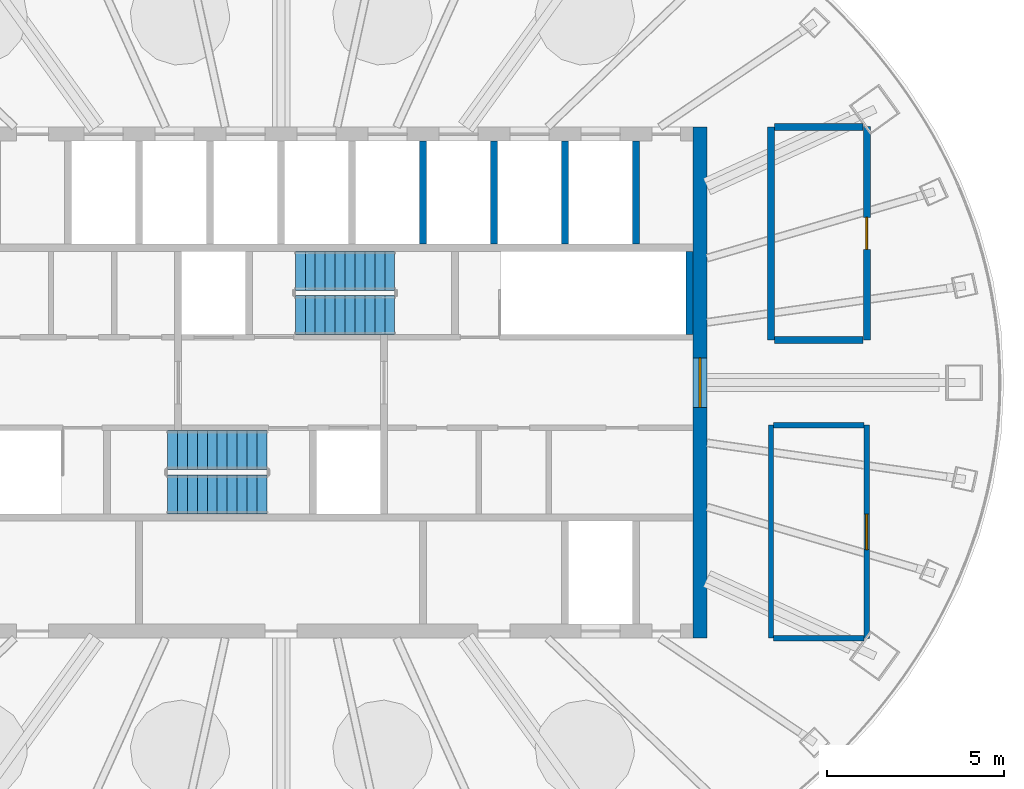
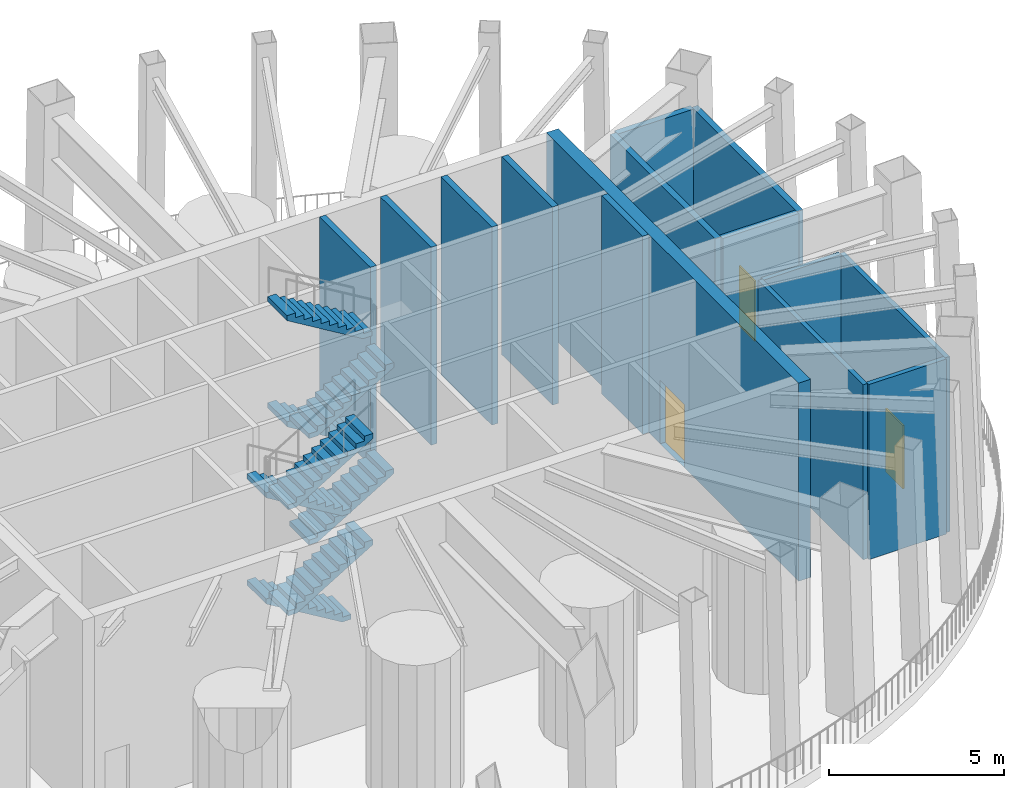
# One storey, part 5 of 12: 14 walls, 8 stair flights, 3 doors, 3 openings, 2 elements without a shape of their own.
"""IFC4 building model written with IfcOpenShell, lengths in metres."""

from ifc_helpers import new_model, si_unit, direction, frame, frame_2d, origin, place, context, subcontext, project, spatial, polyline, rectangle, outline, extrude, material, layer, layer_set, type_object, element, fill, aggregate, save


model = new_model("IFC4")

# Units and contexts
model_context = context("Model", 3, precision=1e-05, world=origin(), true_north=direction((0.0, 1.0)))
body_context = subcontext(model_context, "Body", "Model", "MODEL_VIEW")
ifc_project = project(units=[si_unit("LENGTHUNIT", "METRE"), si_unit("AREAUNIT", "SQUARE_METRE"), si_unit("VOLUMEUNIT", "CUBIC_METRE"), si_unit("PLANEANGLEUNIT", "RADIAN"), si_unit("MASSUNIT", "GRAM", prefix="KILO")], contexts=[model_context])

# Site, building, storey
site_placement = place(None, origin())
site = spatial("IfcSite", under=ifc_project, at=site_placement, CompositionType="ELEMENT")
building_placement = place(site_placement, origin())
building = spatial("IfcBuilding", under=site, at=building_placement, Name="Siaravel Broadcast Tower", CompositionType="ELEMENT")
storey_placement = place(building_placement, frame((0.0, 0.0, 265.199951171875)))
storey = spatial("IfcBuildingStorey", under=building, at=storey_placement, Name="L65", CompositionType="ELEMENT", Elevation=265.199951171875)

# Wall, opening, door
ifc_material_1 = material(Name="Concrete C60/75", Category="concrete")
ifc_layer_1 = layer(ifc_material_1, 0.39990234375)
ifc_layer_set_1 = layer_set([ifc_layer_1], Name="Concrete C60/75")
wall_type_1 = type_object("IfcWallType", Name="Core wall 400", PredefinedType="SHEAR", material=ifc_layer_set_1)
wall_1_placement = place(storey_placement, frame((11.800048828125, -7.199951171875, 0.0), z_axis=(0.0, 0.0, 1.0), x_axis=(0.0, 1.0, 0.0)))
wall_1 = element("IfcWall", 1, at=wall_1_placement, inside=storey, type_object=wall_type_1, Name="L65 core wall OE", PredefinedType="SHEAR", context=body_context, shape_type="SweptSolid", body=[
    extrude(rectangle(XDim=14.39990234375, YDim=0.39990234375, at=frame_2d((7.199951171875, 0.0))), origin(), (0.0, 0.0, 1.0), 6.900146484375),
])
opening_1_placement = place(wall_1_placement, frame((6.5, 0.0, 0.0)))
opening_1 = element("IfcOpeningElement", 2, at=opening_1_placement, cuts=wall_1, Name="Opening L65-DX-E", PredefinedType="OPENING", context=body_context, shape_type="SweptSolid", body=[
    extrude(rectangle(XDim=1.39990234375, YDim=2.199951171875, at=frame_2d((0.699951171875, 1.10009765625))), frame((0.0, 0.2099609375, 0.0), z_axis=(0.0, -1.0, 0.0), x_axis=(1.0, 0.0, 0.0)), (0.0, 0.0, 1.0), 0.419921875),
])
ifc_material_2 = material(Name="Steel", Category="steel")
door_type_1 = type_object("IfcDoorType", Name="Core exit door 1400", OperationType="DOUBLE_DOOR_SINGLE_SWING", PredefinedType="DOOR", material=ifc_material_2)
door_1_placement = place(opening_1_placement, origin())
door_1 = element("IfcDoor", 3, at=door_1_placement, inside=storey, type_object=door_type_1, Name="L65 door DX-E", OperationType="DOUBLE_DOOR_SINGLE_SWING", OverallHeight=2.199951171875, OverallWidth=1.39990234375, PredefinedType="DOOR", context=body_context, shape_type="SweptSolid", body=[
    extrude(rectangle(XDim=1.39990234375, YDim=2.199951171875, at=frame_2d((0.699951171875, 1.10009765625))), frame((0.0, 0.02490234375, 0.0), z_axis=(0.0, -1.0, 0.0), x_axis=(1.0, 0.0, 0.0)), (0.0, 0.0, 1.0), 0.050048828125),
])
fill(opening_1, door_1)

ifc_material_3 = material(Name="Gypsum board partition", Category="gypsum")
ifc_layer_2 = layer(ifc_material_3, 0.14990234375)
ifc_layer_set_2 = layer_set([ifc_layer_2], Name="Gypsum board partition")
wall_type_2 = type_object("IfcWallType", Name="Corridor wall 150", PredefinedType="PARTITIONING", material=ifc_layer_set_2)
wall_2_placement = place(storey_placement, frame((16.5, -7.2119140625, 0.0), z_axis=(0.0, 0.0, 1.0), x_axis=(0.0, 1.0, 0.0)))
wall_2 = element("IfcWall", 4, at=wall_2_placement, inside=storey, type_object=wall_type_2, Name="L65 partition 3", PredefinedType="PARTITIONING", context=body_context, shape_type="SweptSolid", body=[
    extrude(rectangle(XDim=6.011962890625, YDim=0.14990234375, at=frame_2d((3.005859375, 0.0))), origin(), (0.0, 0.0, 1.0), 6.10009765625),
])
opening_2_placement = place(wall_2_placement, frame((2.506103515625, 0.0, 0.0)))
opening_2 = element("IfcOpeningElement", 5, at=opening_2_placement, cuts=wall_2, Name="Opening L65-002", PredefinedType="OPENING", context=body_context, shape_type="SweptSolid", body=[
    extrude(rectangle(XDim=1.0, YDim=2.199951171875, at=frame_2d((0.5, 1.10009765625))), frame((0.0, 0.0849609375, 0.0), z_axis=(0.0, -1.0, 0.0), x_axis=(1.0, 0.0, 0.0)), (0.0, 0.0, 1.0), 0.169921875),
])
ifc_material_4 = material(Name="Acoustic timber and steel", Category="steel")
door_type_2 = type_object("IfcDoorType", Name="Acoustic door 1000", OperationType="SINGLE_SWING_LEFT", PredefinedType="DOOR", material=ifc_material_4)
door_2_placement = place(opening_2_placement, origin())
door_2 = element("IfcDoor", 6, at=door_2_placement, inside=storey, type_object=door_type_2, Name="L65 door to Turbine control room", OperationType="SINGLE_SWING_RIGHT", OverallHeight=2.199951171875, OverallWidth=1.0, PredefinedType="DOOR", context=body_context, shape_type="SweptSolid", body=[
    extrude(rectangle(XDim=1.0, YDim=2.199951171875, at=frame_2d((0.5, 1.10009765625))), frame((0.0, 0.02490234375, 0.0), z_axis=(0.0, -1.0, 0.0), x_axis=(1.0, 0.0, 0.0)), (0.0, 0.0, 1.0), 0.050048828125),
])
fill(opening_2, door_2)

# Walls
wall_3_placement = place(storey_placement, frame((13.800048828125, -7.199951171875, 0.0), z_axis=(0.0, 0.0, 1.0), x_axis=(0.0, 1.0, 0.0)))
element("IfcWall", 7, at=wall_3_placement, inside=storey, type_object=wall_type_2, Name="L65 partition 7", PredefinedType="PARTITIONING", context=body_context, shape_type="SweptSolid", body=[
    extrude(rectangle(XDim=6.0, YDim=0.14990234375, at=frame_2d((3.0, 0.0))), origin(), (0.0, 0.0, 1.0), 6.10009765625),
])
for number, where, z_axis, x_axis, name in (
    (8, (13.876953125, -7.199951171875, 0.0), (0.0, 0.0, 1.0), (1.0, 0.0, 0.0), "L65 partition 13"),
    (9, (13.876953125, -1.199951171875, 0.0), (0.0, 0.0, 1.0), (1.0, 0.0, 0.0), "L65 partition 14"),
):
    element("IfcWall", number, at=place(storey_placement, frame(where, z_axis=z_axis, x_axis=x_axis)), inside=storey, type_object=wall_type_2, Name=name, PredefinedType="PARTITIONING", context=body_context, shape_type="SweptSolid", body=[
        extrude(rectangle(XDim=2.546142578125, YDim=0.14990234375, at=frame_2d((1.27294921875, 0.0))), origin(), (0.0, 0.0, 1.0), 6.10009765625),
    ])

# Wall, opening, door
ifc_material_5 = material(Name="Concrete blockwork", Category="masonry")
ifc_layer_3 = layer(ifc_material_5, 0.199951171875)
ifc_layer_set_3 = layer_set([ifc_layer_3], Name="Concrete blockwork")
wall_type_3 = type_object("IfcWallType", Name="Plant room wall 200", PredefinedType="PARTITIONING", material=ifc_layer_set_3)
wall_4_placement = place(storey_placement, frame((16.5, 1.199951171875, 0.0), z_axis=(0.0, 0.0, 1.0), x_axis=(0.0, 1.0, 0.0)))
wall_4 = element("IfcWall", 10, at=wall_4_placement, inside=storey, type_object=wall_type_3, Name="L65 partition 4", PredefinedType="PARTITIONING", context=body_context, shape_type="SweptSolid", body=[
    extrude(rectangle(XDim=6.011962890625, YDim=0.199951171875, at=frame_2d((3.005859375, 0.0))), origin(), (0.0, 0.0, 1.0), 6.10009765625),
])
opening_3_placement = place(wall_4_placement, frame((2.555908203125, 0.0, 0.0)))
opening_3 = element("IfcOpeningElement", 11, at=opening_3_placement, cuts=wall_4, Name="Opening L65-001", PredefinedType="OPENING", context=body_context, shape_type="SweptSolid", body=[
    extrude(rectangle(XDim=0.89990234375, YDim=2.10009765625, at=frame_2d((0.449951171875, 1.050048828125))), frame((0.0, 0.10986328125, 0.0), z_axis=(0.0, -1.0, 0.0), x_axis=(1.0, 0.0, 0.0)), (0.0, 0.0, 1.0), 0.219970703125),
])
door_type_3 = type_object("IfcDoorType", Name="Plant room door 900", OperationType="SINGLE_SWING_LEFT", PredefinedType="DOOR", material=ifc_material_2)
door_3_placement = place(opening_3_placement, origin())
door_3 = element("IfcDoor", 12, at=door_3_placement, inside=storey, type_object=door_type_3, Name="L65 door to Turbine switch room", OperationType="SINGLE_SWING_LEFT", OverallHeight=2.10009765625, OverallWidth=0.89990234375, PredefinedType="DOOR", context=body_context, shape_type="SweptSolid", body=[
    extrude(rectangle(XDim=0.89990234375, YDim=2.10009765625, at=frame_2d((0.449951171875, 1.050048828125))), frame((0.0, 0.02490234375, 0.0), z_axis=(0.0, -1.0, 0.0), x_axis=(1.0, 0.0, 0.0)), (0.0, 0.0, 1.0), 0.050048828125),
])
fill(opening_3, door_3)

# Walls
wall_5_placement = place(storey_placement, frame((13.800048828125, 1.199951171875, 0.0), z_axis=(0.0, 0.0, 1.0), x_axis=(0.0, 1.0, 0.0)))
element("IfcWall", 13, at=wall_5_placement, inside=storey, type_object=wall_type_3, Name="L65 partition 8", PredefinedType="PARTITIONING", context=body_context, shape_type="SweptSolid", body=[
    extrude(rectangle(XDim=6.0, YDim=0.199951171875, at=frame_2d((3.0, 0.0))), origin(), (0.0, 0.0, 1.0), 6.10009765625),
])
for number, where, z_axis, x_axis, name in (
    (14, (16.39794921875, 1.199951171875, 0.0), (0.0, 0.0, 1.0), (-1.0, 0.0, 0.0), "L65 partition 15"),
    (15, (16.39794921875, 7.199951171875, 0.0), (0.0, 0.0, 1.0), (-1.0, 0.0, 0.0), "L65 partition 16"),
):
    element("IfcWall", number, at=place(storey_placement, frame(where, z_axis=z_axis, x_axis=x_axis)), inside=storey, type_object=wall_type_3, Name=name, PredefinedType="PARTITIONING", context=body_context, shape_type="SweptSolid", body=[
        extrude(rectangle(XDim=2.495849609375, YDim=0.199951171875, at=frame_2d((1.248046875, 0.0))), origin(), (0.0, 0.0, 1.0), 6.10009765625),
    ])
ifc_layer_4 = layer(ifc_material_1, 0.199951171875)
ifc_layer_set_4 = layer_set([ifc_layer_4], Name="Concrete C60/75")
wall_type_4 = type_object("IfcWallType", Name="Shaft wall 200", PredefinedType="SHEAR", material=ifc_layer_set_4)
for number, where, z_axis, x_axis, name in (
    (16, (4.0, 3.89990234375, 0.0), (0.0, 0.0, 1.0), (0.0, 1.0, 0.0), "L65 core wall SWN7"),
    (17, (6.0, 3.89990234375, 0.0), (0.0, 0.0, 1.0), (0.0, 1.0, 0.0), "L65 core wall SWN8"),
    (18, (8.0, 3.89990234375, 0.0), (0.0, 0.0, 1.0), (0.0, 1.0, 0.0), "L65 core wall SWN9"),
    (19, (10.0, 3.89990234375, 0.0), (0.0, 0.0, 1.0), (0.0, 1.0, 0.0), "L65 core wall SWN10"),
):
    element("IfcWall", number, at=place(storey_placement, frame(where, z_axis=z_axis, x_axis=x_axis)), inside=storey, type_object=wall_type_4, Name=name, PredefinedType="SHEAR", context=body_context, shape_type="SweptSolid", body=[
        extrude(rectangle(XDim=2.900146484375, YDim=0.199951171875, at=frame_2d((1.4501953125, 0.0))), origin(), (0.0, 0.0, 1.0), 6.900146484375),
    ])
wall_6_placement = place(storey_placement, frame((11.5, 1.35009765625, 0.0), z_axis=(0.0, 0.0, 1.0), x_axis=(0.0, 1.0, 0.0)))
element("IfcWall", 20, at=wall_6_placement, inside=storey, type_object=wall_type_4, Name="L65 core wall ST2E", PredefinedType="SHEAR", context=body_context, shape_type="SweptSolid", body=[
    extrude(rectangle(XDim=2.349853515625, YDim=0.199951171875, at=frame_2d((1.1748046875, 0.0))), origin(), (0.0, 0.0, 1.0), 6.900146484375),
])

# Stair, stair flights
ifc_material_6 = material(Name="Concrete C40/50", Category="concrete")
stair_type = type_object("IfcStairType", Name="Core exit stair", PredefinedType="HALF_TURN_STAIR", material=ifc_material_6)
stair_1_placement = place(storey_placement, origin())
stair_1 = element("IfcStair", 21, at=stair_1_placement, inside=storey, type_object=stair_type, Name="L65 Exit stair ST-C1", PredefinedType="HALF_TURN_STAIR")
stair_flight_type = type_object("IfcStairFlightType", Name="Stair flight 1100", PredefinedType="STRAIGHT", material=ifc_material_6)
stair_flight_1_placement = place(storey_placement, frame((0.39990234375, 1.89990234375, 0.0), z_axis=(0.0, 0.0, 1.0), x_axis=(1.0, 0.0, 0.0)))
stair_flight_1 = element("IfcStairFlight", 22, at=stair_flight_1_placement, type_object=stair_flight_type, Name="ST-C1 flight 1", NumberOfRisers=11, NumberOfTreads=10, PredefinedType="STRAIGHT", RiserHeight=0.1681818, TreadLength=0.28, context=body_context, shape_type="SweptSolid", body=[
    extrude(outline(polyline([(0.0, 0.0), (0.0, 0.168212890625), (0.280029296875, 0.168212890625), (0.280029296875, 0.33642578125), (0.56005859375, 0.33642578125), (0.56005859375, 0.504638671875), (0.840087890625, 0.504638671875), (0.840087890625, 0.672607421875), (1.1201171875, 0.672607421875), (1.1201171875, 0.8408203125), (1.39990234375, 0.8408203125), (1.39990234375, 1.009033203125), (1.679931640625, 1.009033203125), (1.679931640625, 1.17724609375), (1.9599609375, 1.17724609375), (1.9599609375, 1.345458984375), (2.239990234375, 1.345458984375), (2.239990234375, 1.513671875), (2.52001953125, 1.513671875), (2.52001953125, 1.681884765625), (2.800048828125, 1.681884765625), (2.800048828125, 1.85009765625), (2.800048828125, 1.5068359375), (0.291015625, 0.0), (0.0, 0.0)])), frame((0.0, 0.550048828125, 0.0), z_axis=(0.0, -1.0, 0.0), x_axis=(1.0, 0.0, 0.0)), (0.0, 0.0, 1.0), 1.10009765625),
])
stair_flight_2_placement = place(storey_placement, frame((3.199951171875, 3.14990234375, 1.85009765625), z_axis=(0.0, 0.0, 1.0), x_axis=(-1.0, 0.0, 0.0)))
stair_flight_2 = element("IfcStairFlight", 23, at=stair_flight_2_placement, type_object=stair_flight_type, Name="ST-C1 flight 2", NumberOfRisers=11, NumberOfTreads=10, PredefinedType="STRAIGHT", RiserHeight=0.1681818, TreadLength=0.28, context=body_context, shape_type="SweptSolid", body=[
    extrude(outline(polyline([(0.0, 0.0), (0.0, 0.168212890625), (0.280029296875, 0.168212890625), (0.280029296875, 0.33642578125), (0.56005859375, 0.33642578125), (0.56005859375, 0.504638671875), (0.840087890625, 0.504638671875), (0.840087890625, 0.672607421875), (1.1201171875, 0.672607421875), (1.1201171875, 0.8408203125), (1.39990234375, 0.8408203125), (1.39990234375, 1.009033203125), (1.679931640625, 1.009033203125), (1.679931640625, 1.17724609375), (1.9599609375, 1.17724609375), (1.9599609375, 1.345458984375), (2.239990234375, 1.345458984375), (2.239990234375, 1.513671875), (2.52001953125, 1.513671875), (2.52001953125, 1.681884765625), (2.800048828125, 1.681884765625), (2.800048828125, 1.85009765625), (2.800048828125, 1.5068359375), (0.291015625, 0.0), (0.0, 0.0)])), frame((0.0, 0.550048828125, 0.0), z_axis=(0.0, -1.0, 0.0), x_axis=(1.0, 0.0, 0.0)), (0.0, 0.0, 1.0), 1.10009765625),
])
stair_flight_3_placement = place(storey_placement, frame((0.39990234375, 1.89990234375, 3.699951171875), z_axis=(0.0, 0.0, 1.0), x_axis=(1.0, 0.0, 0.0)))
stair_flight_3 = element("IfcStairFlight", 24, at=stair_flight_3_placement, type_object=stair_flight_type, Name="ST-C1 flight 3", NumberOfRisers=11, NumberOfTreads=10, PredefinedType="STRAIGHT", RiserHeight=0.1681818, TreadLength=0.28, context=body_context, shape_type="SweptSolid", body=[
    extrude(outline(polyline([(0.0, 0.0), (0.0, 0.168212890625), (0.280029296875, 0.168212890625), (0.280029296875, 0.33642578125), (0.56005859375, 0.33642578125), (0.56005859375, 0.504638671875), (0.840087890625, 0.504638671875), (0.840087890625, 0.672607421875), (1.1201171875, 0.672607421875), (1.1201171875, 0.8408203125), (1.39990234375, 0.8408203125), (1.39990234375, 1.009033203125), (1.679931640625, 1.009033203125), (1.679931640625, 1.17724609375), (1.9599609375, 1.17724609375), (1.9599609375, 1.345458984375), (2.239990234375, 1.345458984375), (2.239990234375, 1.513671875), (2.52001953125, 1.513671875), (2.52001953125, 1.681884765625), (2.800048828125, 1.681884765625), (2.800048828125, 1.85009765625), (2.800048828125, 1.5068359375), (0.291015625, 0.0), (0.0, 0.0)])), frame((0.0, 0.550048828125, 0.0), z_axis=(0.0, -1.0, 0.0), x_axis=(1.0, 0.0, 0.0)), (0.0, 0.0, 1.0), 1.10009765625),
])
stair_flight_4_placement = place(storey_placement, frame((3.199951171875, 3.14990234375, 5.550048828125), z_axis=(0.0, 0.0, 1.0), x_axis=(-1.0, 0.0, 0.0)))
stair_flight_4 = element("IfcStairFlight", 25, at=stair_flight_4_placement, type_object=stair_flight_type, Name="ST-C1 flight 4", NumberOfRisers=11, NumberOfTreads=10, PredefinedType="STRAIGHT", RiserHeight=0.1681818, TreadLength=0.28, context=body_context, shape_type="SweptSolid", body=[
    extrude(outline(polyline([(0.0, 0.0), (0.0, 0.168212890625), (0.280029296875, 0.168212890625), (0.280029296875, 0.33642578125), (0.56005859375, 0.33642578125), (0.56005859375, 0.504638671875), (0.840087890625, 0.504638671875), (0.840087890625, 0.672607421875), (1.1201171875, 0.672607421875), (1.1201171875, 0.8408203125), (1.39990234375, 0.8408203125), (1.39990234375, 1.009033203125), (1.679931640625, 1.009033203125), (1.679931640625, 1.17724609375), (1.9599609375, 1.17724609375), (1.9599609375, 1.345458984375), (2.239990234375, 1.345458984375), (2.239990234375, 1.513671875), (2.52001953125, 1.513671875), (2.52001953125, 1.681884765625), (2.800048828125, 1.681884765625), (2.800048828125, 1.85009765625), (2.800048828125, 1.5068359375), (0.291015625, 0.0), (0.0, 0.0)])), frame((0.0, 0.550048828125, 0.0), z_axis=(0.0, -1.0, 0.0), x_axis=(1.0, 0.0, 0.0)), (0.0, 0.0, 1.0), 1.10009765625),
])
aggregate(stair_1, [stair_flight_1, stair_flight_2, stair_flight_3, stair_flight_4])

stair_2_placement = place(storey_placement, origin())
stair_2 = element("IfcStair", 26, at=stair_2_placement, inside=storey, type_object=stair_type, Name="L65 Exit stair ST-C2", PredefinedType="HALF_TURN_STAIR")
stair_flight_5_placement = place(storey_placement, frame((-0.39990234375, -1.89990234375, 0.0), z_axis=(0.0, 0.0, 1.0), x_axis=(-1.0, 0.0, 0.0)))
stair_flight_5 = element("IfcStairFlight", 27, at=stair_flight_5_placement, type_object=stair_flight_type, Name="ST-C2 flight 1", NumberOfRisers=11, NumberOfTreads=10, PredefinedType="STRAIGHT", RiserHeight=0.1681818, TreadLength=0.28, context=body_context, shape_type="SweptSolid", body=[
    extrude(outline(polyline([(0.0, 0.0), (0.0, 0.168212890625), (0.280029296875, 0.168212890625), (0.280029296875, 0.33642578125), (0.56005859375, 0.33642578125), (0.56005859375, 0.504638671875), (0.840087890625, 0.504638671875), (0.840087890625, 0.672607421875), (1.1201171875, 0.672607421875), (1.1201171875, 0.8408203125), (1.39990234375, 0.8408203125), (1.39990234375, 1.009033203125), (1.679931640625, 1.009033203125), (1.679931640625, 1.17724609375), (1.9599609375, 1.17724609375), (1.9599609375, 1.345458984375), (2.239990234375, 1.345458984375), (2.239990234375, 1.513671875), (2.52001953125, 1.513671875), (2.52001953125, 1.681884765625), (2.800048828125, 1.681884765625), (2.800048828125, 1.85009765625), (2.800048828125, 1.5068359375), (0.291015625, 0.0), (0.0, 0.0)])), frame((0.0, 0.550048828125, 0.0), z_axis=(0.0, -1.0, 0.0), x_axis=(1.0, 0.0, 0.0)), (0.0, 0.0, 1.0), 1.10009765625),
])
stair_flight_6_placement = place(storey_placement, frame((-3.199951171875, -3.14990234375, 1.85009765625), z_axis=(0.0, 0.0, 1.0), x_axis=(1.0, 0.0, 0.0)))
stair_flight_6 = element("IfcStairFlight", 28, at=stair_flight_6_placement, type_object=stair_flight_type, Name="ST-C2 flight 2", NumberOfRisers=11, NumberOfTreads=10, PredefinedType="STRAIGHT", RiserHeight=0.1681818, TreadLength=0.28, context=body_context, shape_type="SweptSolid", body=[
    extrude(outline(polyline([(0.0, 0.0), (0.0, 0.168212890625), (0.280029296875, 0.168212890625), (0.280029296875, 0.33642578125), (0.56005859375, 0.33642578125), (0.56005859375, 0.504638671875), (0.840087890625, 0.504638671875), (0.840087890625, 0.672607421875), (1.1201171875, 0.672607421875), (1.1201171875, 0.8408203125), (1.39990234375, 0.8408203125), (1.39990234375, 1.009033203125), (1.679931640625, 1.009033203125), (1.679931640625, 1.17724609375), (1.9599609375, 1.17724609375), (1.9599609375, 1.345458984375), (2.239990234375, 1.345458984375), (2.239990234375, 1.513671875), (2.52001953125, 1.513671875), (2.52001953125, 1.681884765625), (2.800048828125, 1.681884765625), (2.800048828125, 1.85009765625), (2.800048828125, 1.5068359375), (0.291015625, 0.0), (0.0, 0.0)])), frame((0.0, 0.550048828125, 0.0), z_axis=(0.0, -1.0, 0.0), x_axis=(1.0, 0.0, 0.0)), (0.0, 0.0, 1.0), 1.10009765625),
])
stair_flight_7_placement = place(storey_placement, frame((-0.39990234375, -1.89990234375, 3.699951171875), z_axis=(0.0, 0.0, 1.0), x_axis=(-1.0, 0.0, 0.0)))
stair_flight_7 = element("IfcStairFlight", 29, at=stair_flight_7_placement, type_object=stair_flight_type, Name="ST-C2 flight 3", NumberOfRisers=11, NumberOfTreads=10, PredefinedType="STRAIGHT", RiserHeight=0.1681818, TreadLength=0.28, context=body_context, shape_type="SweptSolid", body=[
    extrude(outline(polyline([(0.0, 0.0), (0.0, 0.168212890625), (0.280029296875, 0.168212890625), (0.280029296875, 0.33642578125), (0.56005859375, 0.33642578125), (0.56005859375, 0.504638671875), (0.840087890625, 0.504638671875), (0.840087890625, 0.672607421875), (1.1201171875, 0.672607421875), (1.1201171875, 0.8408203125), (1.39990234375, 0.8408203125), (1.39990234375, 1.009033203125), (1.679931640625, 1.009033203125), (1.679931640625, 1.17724609375), (1.9599609375, 1.17724609375), (1.9599609375, 1.345458984375), (2.239990234375, 1.345458984375), (2.239990234375, 1.513671875), (2.52001953125, 1.513671875), (2.52001953125, 1.681884765625), (2.800048828125, 1.681884765625), (2.800048828125, 1.85009765625), (2.800048828125, 1.5068359375), (0.291015625, 0.0), (0.0, 0.0)])), frame((0.0, 0.550048828125, 0.0), z_axis=(0.0, -1.0, 0.0), x_axis=(1.0, 0.0, 0.0)), (0.0, 0.0, 1.0), 1.10009765625),
])
stair_flight_8_placement = place(storey_placement, frame((-3.199951171875, -3.14990234375, 5.550048828125), z_axis=(0.0, 0.0, 1.0), x_axis=(1.0, 0.0, 0.0)))
stair_flight_8 = element("IfcStairFlight", 30, at=stair_flight_8_placement, type_object=stair_flight_type, Name="ST-C2 flight 4", NumberOfRisers=11, NumberOfTreads=10, PredefinedType="STRAIGHT", RiserHeight=0.1681818, TreadLength=0.28, context=body_context, shape_type="SweptSolid", body=[
    extrude(outline(polyline([(0.0, 0.0), (0.0, 0.168212890625), (0.280029296875, 0.168212890625), (0.280029296875, 0.33642578125), (0.56005859375, 0.33642578125), (0.56005859375, 0.504638671875), (0.840087890625, 0.504638671875), (0.840087890625, 0.672607421875), (1.1201171875, 0.672607421875), (1.1201171875, 0.8408203125), (1.39990234375, 0.8408203125), (1.39990234375, 1.009033203125), (1.679931640625, 1.009033203125), (1.679931640625, 1.17724609375), (1.9599609375, 1.17724609375), (1.9599609375, 1.345458984375), (2.239990234375, 1.345458984375), (2.239990234375, 1.513671875), (2.52001953125, 1.513671875), (2.52001953125, 1.681884765625), (2.800048828125, 1.681884765625), (2.800048828125, 1.85009765625), (2.800048828125, 1.5068359375), (0.291015625, 0.0), (0.0, 0.0)])), frame((0.0, 0.550048828125, 0.0), z_axis=(0.0, -1.0, 0.0), x_axis=(1.0, 0.0, 0.0)), (0.0, 0.0, 1.0), 1.10009765625),
])
aggregate(stair_2, [stair_flight_5, stair_flight_6, stair_flight_7, stair_flight_8])

save(model, "model.ifc")
